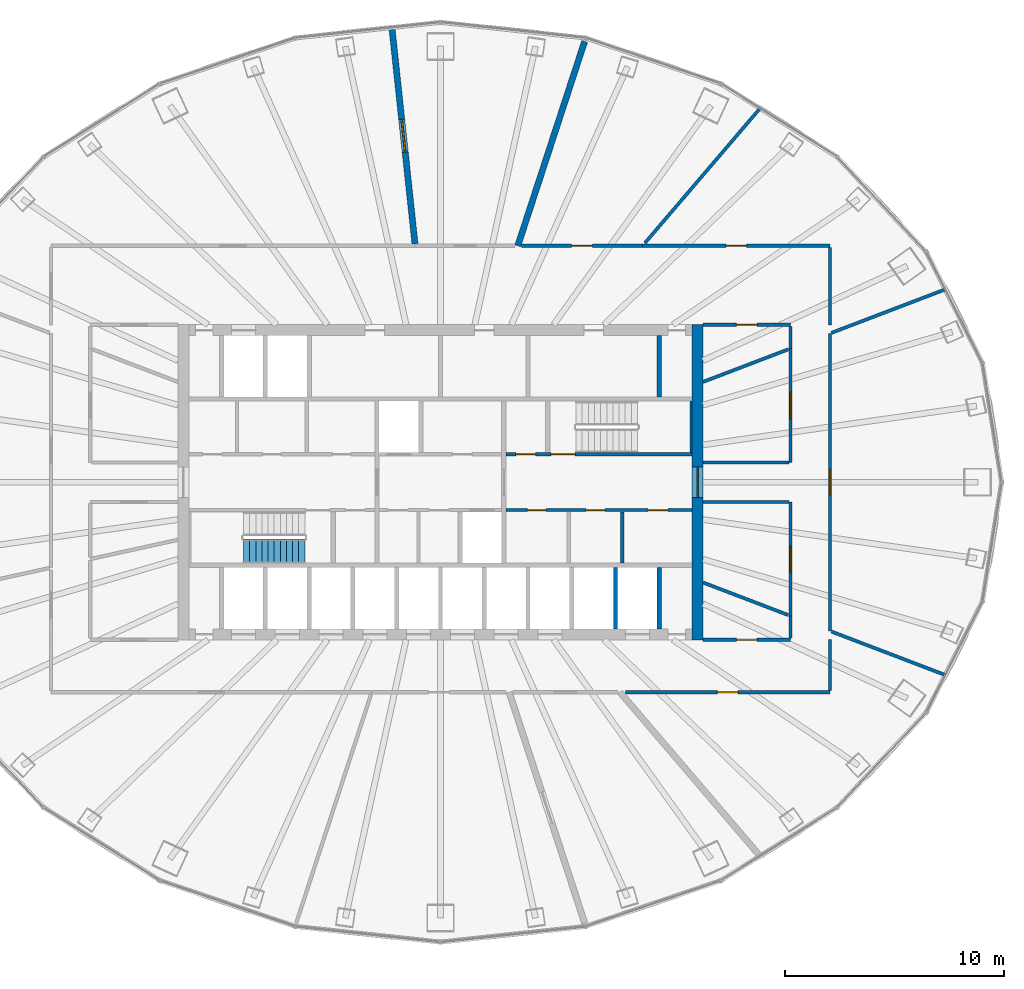
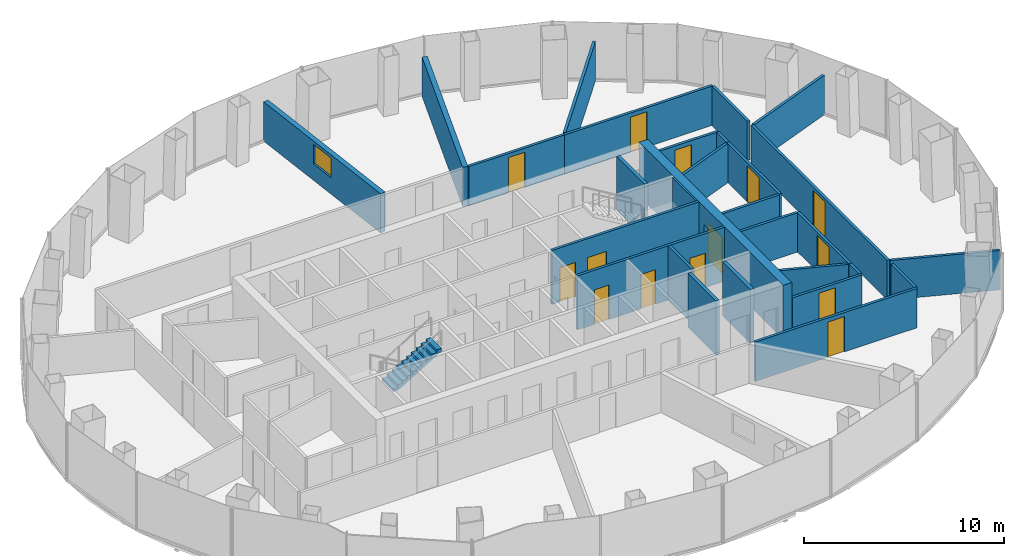
# One storey, part 10 of 12: 29 walls, 14 doors, 1 stair flight, 1 window, 15 openings, 1 element without a shape of its own.
"""IFC4 building model written with IfcOpenShell, lengths in metres."""

from ifc_helpers import new_model, si_unit, direction, frame, frame_2d, origin, place, context, subcontext, project, spatial, polyline, rectangle, outline, extrude, material, layer, layer_set, type_object, element, fill, aggregate, save


model = new_model("IFC4")

# Units and contexts
model_context = context("Model", 3, precision=1e-05, world=origin(), true_north=direction((0.0, 1.0)))
body_context = subcontext(model_context, "Body", "Model", "MODEL_VIEW")
ifc_project = project(units=[si_unit("LENGTHUNIT", "METRE"), si_unit("AREAUNIT", "SQUARE_METRE"), si_unit("VOLUMEUNIT", "CUBIC_METRE"), si_unit("PLANEANGLEUNIT", "RADIAN"), si_unit("MASSUNIT", "GRAM", prefix="KILO")], contexts=[model_context])

# Site, building, storey
site_placement = place(None, origin())
site = spatial("IfcSite", under=ifc_project, at=site_placement, CompositionType="ELEMENT")
building_placement = place(site_placement, origin())
building = spatial("IfcBuilding", under=site, at=building_placement, Name="Siaravel Broadcast Tower", CompositionType="ELEMENT")
storey_placement = place(building_placement, frame((0.0, 0.0, 111.89990234375)))
storey = spatial("IfcBuildingStorey", under=building, at=storey_placement, Name="L26", CompositionType="ELEMENT", Elevation=111.89990234375)

# Wall, opening, window
ifc_material_1 = material(Name="Double-leaf acoustic partition", Category="gypsum")
ifc_layer_1 = layer(ifc_material_1, 0.280029296875)
ifc_layer_set_1 = layer_set([ifc_layer_1], Name="Double-leaf acoustic partition")
wall_type_1 = type_object("IfcWallType", Name="Acoustic double-leaf wall 280", PredefinedType="PARTITIONING", material=ifc_layer_set_1)
wall_1_placement = place(storey_placement, frame((-2.218994140625, 20.774658203125, 0.0), z_axis=(0.0, 0.0, 1.0), x_axis=(0.106213943, -0.9943433, 0.0)))
wall_1 = element("IfcWall", 1, at=wall_1_placement, inside=storey, type_object=wall_type_1, Name="L26 partition 7", PredefinedType="PARTITIONING", context=body_context, shape_type="SweptSolid", body=[
    extrude(rectangle(XDim=9.93896484375, YDim=0.280029296875, at=frame_2d((4.969482421875, 0.0))), origin(), (0.0, 0.0, 1.0), 2.400146484375),
])
opening_1_placement = place(wall_1_placement, frame((4.219482421875, 0.0, 1.0)))
opening_1 = element("IfcOpeningElement", 2, at=opening_1_placement, cuts=wall_1, Name="Opening L26-W01", PredefinedType="OPENING", context=body_context, shape_type="SweptSolid", body=[
    extrude(rectangle(XDim=1.5, YDim=1.199951171875, at=frame_2d((0.75, 0.60009765625))), frame((0.0, 0.14990234375, 0.0), z_axis=(0.0, -1.0, 0.0), x_axis=(1.0, 0.0, 0.0)), (0.0, 0.0, 1.0), 0.300048828125),
])
ifc_material_2 = material(Name="Laminated acoustic glass", Category="glass")
window_type = type_object("IfcWindowType", Name="Studio viewing window 1500", PartitioningType="SINGLE_PANEL", PredefinedType="WINDOW", material=ifc_material_2)
window_placement = place(opening_1_placement, origin())
window = element("IfcWindow", 3, at=window_placement, inside=storey, type_object=window_type, Name="L26 viewing window to Viewing theatre", OverallHeight=1.199951171875, OverallWidth=1.5, PartitioningType="SINGLE_PANEL", PredefinedType="WINDOW", context=body_context, shape_type="SweptSolid", body=[
    extrude(rectangle(XDim=1.5, YDim=1.199951171875, at=frame_2d((0.75, 0.60009765625))), frame((0.0, 0.030029296875, 0.0), z_axis=(0.0, -1.0, 0.0), x_axis=(1.0, 0.0, 0.0)), (0.0, 0.0, 1.0), 0.06005859375),
])
fill(opening_1, window)

# Walls
wall_2_placement = place(storey_placement, frame((6.589599609375, 20.143798828125, 0.0), z_axis=(0.0, 0.0, 1.0), x_axis=(-0.310918337, -0.95043663, 0.0)))
element("IfcWall", 4, at=wall_2_placement, inside=storey, type_object=wall_type_1, Name="L26 partition 9", PredefinedType="PARTITIONING", context=body_context, shape_type="SweptSolid", body=[
    extrude(rectangle(XDim=9.8310546875, YDim=0.280029296875, at=frame_2d((4.91552734375, 0.0))), origin(), (0.0, 0.0, 1.0), 2.400146484375),
])
ifc_material_3 = material(Name="Concrete blockwork", Category="masonry")
ifc_layer_2 = layer(ifc_material_3, 0.14990234375)
ifc_layer_set_2 = layer_set([ifc_layer_2], Name="Concrete blockwork")
wall_type_2 = type_object("IfcWallType", Name="Core partition 150", PredefinedType="PARTITIONING", material=ifc_layer_set_2)
wall_3_placement = place(storey_placement, frame((8.30908203125, -3.699951171875, 0.0), z_axis=(0.0, 0.0, 1.0), x_axis=(0.0, 1.0, 0.0)))
element("IfcWall", 5, at=wall_3_placement, inside=storey, type_object=wall_type_2, Name="L26 core partition PSE1", PredefinedType="PARTITIONING", context=body_context, shape_type="SweptSolid", body=[
    extrude(rectangle(XDim=2.349853515625, YDim=0.14990234375, at=frame_2d((1.1748046875, 0.0))), origin(), (0.0, 0.0, 1.0), 3.300048828125),
])

# Wall, opening, door
ifc_material_4 = material(Name="Concrete C60/75", Category="concrete")
ifc_layer_3 = layer(ifc_material_4, 0.5)
ifc_layer_set_3 = layer_set([ifc_layer_3], Name="Concrete C60/75")
wall_type_3 = type_object("IfcWallType", Name="Core wall 500", PredefinedType="SHEAR", material=ifc_layer_set_3)
wall_4_placement = place(storey_placement, frame((11.75, -7.199951171875, 0.0), z_axis=(0.0, 0.0, 1.0), x_axis=(0.0, 1.0, 0.0)))
wall_4 = element("IfcWall", 6, at=wall_4_placement, inside=storey, type_object=wall_type_3, Name="L26 core wall OE", PredefinedType="SHEAR", context=body_context, shape_type="SweptSolid", body=[
    extrude(rectangle(XDim=14.39990234375, YDim=0.5, at=frame_2d((7.199951171875, 0.0))), origin(), (0.0, 0.0, 1.0), 3.300048828125),
])
opening_2_placement = place(wall_4_placement, frame((6.5, 0.0, 0.0)))
opening_2 = element("IfcOpeningElement", 7, at=opening_2_placement, cuts=wall_4, Name="Opening L26-DX-E", PredefinedType="OPENING", context=body_context, shape_type="SweptSolid", body=[
    extrude(rectangle(XDim=1.39990234375, YDim=2.199951171875, at=frame_2d((0.699951171875, 1.10009765625))), frame((0.0, 0.260009765625, 0.0), z_axis=(0.0, -1.0, 0.0), x_axis=(1.0, 0.0, 0.0)), (0.0, 0.0, 1.0), 0.52001953125),
])
ifc_material_5 = material(Name="Steel", Category="steel")
door_type_1 = type_object("IfcDoorType", Name="Core exit door 1400", OperationType="DOUBLE_DOOR_SINGLE_SWING", PredefinedType="DOOR", material=ifc_material_5)
door_1_placement = place(opening_2_placement, origin())
door_1 = element("IfcDoor", 8, at=door_1_placement, inside=storey, type_object=door_type_1, Name="L26 door DX-E", OperationType="DOUBLE_DOOR_SINGLE_SWING", OverallHeight=2.199951171875, OverallWidth=1.39990234375, PredefinedType="DOOR", context=body_context, shape_type="SweptSolid", body=[
    extrude(rectangle(XDim=1.39990234375, YDim=2.199951171875, at=frame_2d((0.699951171875, 1.10009765625))), frame((0.0, 0.02490234375, 0.0), z_axis=(0.0, -1.0, 0.0), x_axis=(1.0, 0.0, 0.0)), (0.0, 0.0, 1.0), 0.050048828125),
])
fill(opening_2, door_1)

# Wall, openings, doors
ifc_material_6 = material(Name="Gypsum board partition", Category="gypsum")
ifc_layer_4 = layer(ifc_material_6, 0.14990234375)
ifc_layer_set_4 = layer_set([ifc_layer_4], Name="Gypsum board partition")
wall_type_4 = type_object("IfcWallType", Name="Corridor wall 150", PredefinedType="PARTITIONING", material=ifc_layer_set_4)
wall_5_placement = place(storey_placement, frame((3.0, -1.27490234375, 0.0), z_axis=(0.0, 0.0, 1.0), x_axis=(1.0, 0.0, 0.0)))
wall_5 = element("IfcWall", 9, at=wall_5_placement, inside=storey, type_object=wall_type_4, Name="L26 core partition CSE", PredefinedType="PARTITIONING", context=body_context, shape_type="SweptSolid", body=[
    extrude(rectangle(XDim=8.5, YDim=0.14990234375, at=frame_2d((4.25, 0.0))), origin(), (0.0, 0.0, 1.0), 3.300048828125),
])
opening_3_placement = place(wall_5_placement, frame((0.968994140625, 0.0, 0.0)))
opening_3 = element("IfcOpeningElement", 10, at=opening_3_placement, cuts=wall_5, Name="Opening L26-DSE0", PredefinedType="OPENING", context=body_context, shape_type="SweptSolid", body=[
    extrude(rectangle(XDim=0.85009765625, YDim=2.10009765625, at=frame_2d((0.425048828125, 1.050048828125))), frame((0.0, 0.0849609375, 0.0), z_axis=(0.0, -1.0, 0.0), x_axis=(1.0, 0.0, 0.0)), (0.0, 0.0, 1.0), 0.169921875),
])
opening_4_placement = place(wall_5_placement, frame((3.660888671875, 0.0, 0.0)))
opening_4 = element("IfcOpeningElement", 11, at=opening_4_placement, cuts=wall_5, Name="Opening L26-DSE1", PredefinedType="OPENING", context=body_context, shape_type="SweptSolid", body=[
    extrude(rectangle(XDim=0.85009765625, YDim=2.10009765625, at=frame_2d((0.425048828125, 1.050048828125))), frame((0.0, 0.0849609375, 0.0), z_axis=(0.0, -1.0, 0.0), x_axis=(1.0, 0.0, 0.0)), (0.0, 0.0, 1.0), 0.169921875),
])
opening_5_placement = place(wall_5_placement, frame((6.491943359375, 0.0, 0.0)))
opening_5 = element("IfcOpeningElement", 12, at=opening_5_placement, cuts=wall_5, Name="Opening L26-DSE2", PredefinedType="OPENING", context=body_context, shape_type="SweptSolid", body=[
    extrude(rectangle(XDim=0.89990234375, YDim=2.10009765625, at=frame_2d((0.449951171875, 1.050048828125))), frame((0.0, 0.0849609375, 0.0), z_axis=(0.0, -1.0, 0.0), x_axis=(1.0, 0.0, 0.0)), (0.0, 0.0, 1.0), 0.169921875),
])
ifc_material_7 = material(Name="Timber veneer", Category="wood")
door_type_2 = type_object("IfcDoorType", Name="Core room door 900", OperationType="SINGLE_SWING_LEFT", PredefinedType="DOOR", material=ifc_material_7)
door_2_placement = place(opening_5_placement, origin())
door_2 = element("IfcDoor", 13, at=door_2_placement, inside=storey, type_object=door_type_2, Name="L26 door DSE2", OperationType="SINGLE_SWING_LEFT", OverallHeight=2.10009765625, OverallWidth=0.89990234375, PredefinedType="DOOR", context=body_context, shape_type="SweptSolid", body=[
    extrude(rectangle(XDim=0.89990234375, YDim=2.10009765625, at=frame_2d((0.449951171875, 1.050048828125))), frame((0.0, 0.02490234375, 0.0), z_axis=(0.0, -1.0, 0.0), x_axis=(1.0, 0.0, 0.0)), (0.0, 0.0, 1.0), 0.050048828125),
])
fill(opening_5, door_2)
door_type_3 = type_object("IfcDoorType", Name="Core toilet door 850", OperationType="SINGLE_SWING_LEFT", PredefinedType="DOOR", material=ifc_material_7)
door_3_placement = place(opening_3_placement, origin())
door_3 = element("IfcDoor", 14, at=door_3_placement, inside=storey, type_object=door_type_3, Name="L26 door DSE0", OperationType="SINGLE_SWING_LEFT", OverallHeight=2.10009765625, OverallWidth=0.85009765625, PredefinedType="DOOR", context=body_context, shape_type="SweptSolid", body=[
    extrude(rectangle(XDim=0.85009765625, YDim=2.10009765625, at=frame_2d((0.425048828125, 1.050048828125))), frame((0.0, 0.02490234375, 0.0), z_axis=(0.0, -1.0, 0.0), x_axis=(1.0, 0.0, 0.0)), (0.0, 0.0, 1.0), 0.050048828125),
])
fill(opening_3, door_3)
door_4_placement = place(opening_4_placement, origin())
door_4 = element("IfcDoor", 15, at=door_4_placement, inside=storey, type_object=door_type_3, Name="L26 door DSE1", OperationType="SINGLE_SWING_LEFT", OverallHeight=2.10009765625, OverallWidth=0.85009765625, PredefinedType="DOOR", context=body_context, shape_type="SweptSolid", body=[
    extrude(rectangle(XDim=0.85009765625, YDim=2.10009765625, at=frame_2d((0.425048828125, 1.050048828125))), frame((0.0, 0.02490234375, 0.0), z_axis=(0.0, -1.0, 0.0), x_axis=(1.0, 0.0, 0.0)), (0.0, 0.0, 1.0), 0.050048828125),
])
fill(opening_4, door_4)

# Wall, opening, door
wall_6_placement = place(storey_placement, frame((17.800048828125, -6.798828125, 0.0), z_axis=(0.0, 0.0, 1.0), x_axis=(0.0, 1.0, 0.0)))
wall_6 = element("IfcWall", 16, at=wall_6_placement, inside=storey, type_object=wall_type_4, Name="L26 partition 3", PredefinedType="PARTITIONING", context=body_context, shape_type="SweptSolid", body=[
    extrude(rectangle(XDim=13.59765625, YDim=0.14990234375, at=frame_2d((6.798828125, 0.0))), origin(), (0.0, 0.0, 1.0), 2.400146484375),
])
opening_6_placement = place(wall_6_placement, frame((6.19873046875, 0.0, 0.0)))
opening_6 = element("IfcOpeningElement", 17, at=opening_6_placement, cuts=wall_6, Name="Opening L26-005", PredefinedType="OPENING", context=body_context, shape_type="SweptSolid", body=[
    extrude(rectangle(XDim=1.199951171875, YDim=2.199951171875, at=frame_2d((0.60009765625, 1.10009765625))), frame((0.0, 0.0849609375, 0.0), z_axis=(0.0, -1.0, 0.0), x_axis=(1.0, 0.0, 0.0)), (0.0, 0.0, 1.0), 0.169921875),
])
door_type_4 = type_object("IfcDoorType", Name="Office double door 1200", OperationType="DOUBLE_DOOR_SINGLE_SWING", PredefinedType="DOOR", material=ifc_material_7)
door_5_placement = place(opening_6_placement, origin())
door_5 = element("IfcDoor", 18, at=door_5_placement, inside=storey, type_object=door_type_4, Name="L26 door to Open plan production office", OperationType="DOUBLE_DOOR_SINGLE_SWING", OverallHeight=2.199951171875, OverallWidth=1.199951171875, PredefinedType="DOOR", context=body_context, shape_type="SweptSolid", body=[
    extrude(rectangle(XDim=1.199951171875, YDim=2.199951171875, at=frame_2d((0.60009765625, 1.10009765625))), frame((0.0, 0.02490234375, 0.0), z_axis=(0.0, -1.0, 0.0), x_axis=(1.0, 0.0, 0.0)), (0.0, 0.0, 1.0), 0.050048828125),
])
fill(opening_6, door_5)

wall_7_placement = place(storey_placement, frame((8.456787109375, -9.60009765625, 0.0), z_axis=(0.0, 0.0, 1.0), x_axis=(1.0, 0.0, 0.0)))
wall_7 = element("IfcWall", 19, at=wall_7_placement, inside=storey, type_object=wall_type_4, Name="L26 partition 10", PredefinedType="PARTITIONING", context=body_context, shape_type="SweptSolid", body=[
    extrude(rectangle(XDim=9.34326171875, YDim=0.14990234375, at=frame_2d((4.671630859375, 0.0))), origin(), (0.0, 0.0, 1.0), 2.400146484375),
])
opening_7_placement = place(wall_7_placement, frame((4.196533203125, 0.0, 0.0)))
opening_7 = element("IfcOpeningElement", 20, at=opening_7_placement, cuts=wall_7, Name="Opening L26-002", PredefinedType="OPENING", context=body_context, shape_type="SweptSolid", body=[
    extrude(rectangle(XDim=0.949951171875, YDim=2.14990234375, at=frame_2d((0.47509765625, 1.074951171875))), frame((0.0, 0.0849609375, 0.0), z_axis=(0.0, -1.0, 0.0), x_axis=(1.0, 0.0, 0.0)), (0.0, 0.0, 1.0), 0.169921875),
])
door_type_5 = type_object("IfcDoorType", Name="Office door 950", OperationType="SINGLE_SWING_LEFT", PredefinedType="DOOR", material=ifc_material_7)
door_6_placement = place(opening_7_placement, origin())
door_6 = element("IfcDoor", 21, at=door_6_placement, inside=storey, type_object=door_type_5, Name="L26 door to Design studio", OperationType="SINGLE_SWING_RIGHT", OverallHeight=2.14990234375, OverallWidth=0.949951171875, PredefinedType="DOOR", context=body_context, shape_type="SweptSolid", body=[
    extrude(rectangle(XDim=0.949951171875, YDim=2.14990234375, at=frame_2d((0.47509765625, 1.074951171875))), frame((0.0, 0.02490234375, 0.0), z_axis=(0.0, -1.0, 0.0), x_axis=(1.0, 0.0, 0.0)), (0.0, 0.0, 1.0), 0.050048828125),
])
fill(opening_7, door_6)

wall_8_placement = place(storey_placement, frame((17.800048828125, 10.800048828125, 0.0), z_axis=(0.0, 0.0, 1.0), x_axis=(-1.0, 0.0, 0.0)))
wall_8 = element("IfcWall", 22, at=wall_8_placement, inside=storey, type_object=wall_type_4, Name="L26 partition 11", PredefinedType="PARTITIONING", context=body_context, shape_type="SweptSolid", body=[
    extrude(rectangle(XDim=8.56787109375, YDim=0.14990234375, at=frame_2d((4.283935546875, 0.0))), origin(), (0.0, 0.0, 1.0), 2.400146484375),
])
opening_8_placement = place(wall_8_placement, frame((3.808837890625, 0.0, 0.0)))
opening_8 = element("IfcOpeningElement", 23, at=opening_8_placement, cuts=wall_8, Name="Opening L26-007", PredefinedType="OPENING", context=body_context, shape_type="SweptSolid", body=[
    extrude(rectangle(XDim=0.949951171875, YDim=2.14990234375, at=frame_2d((0.47509765625, 1.074951171875))), frame((0.0, 0.0849609375, 0.0), z_axis=(0.0, -1.0, 0.0), x_axis=(1.0, 0.0, 0.0)), (0.0, 0.0, 1.0), 0.169921875),
])
door_7_placement = place(opening_8_placement, origin())
door_7 = element("IfcDoor", 24, at=door_7_placement, inside=storey, type_object=door_type_5, Name="L26 door to Design studio", OperationType="SINGLE_SWING_LEFT", OverallHeight=2.14990234375, OverallWidth=0.949951171875, PredefinedType="DOOR", context=body_context, shape_type="SweptSolid", body=[
    extrude(rectangle(XDim=0.949951171875, YDim=2.14990234375, at=frame_2d((0.47509765625, 1.074951171875))), frame((0.0, 0.02490234375, 0.0), z_axis=(0.0, -1.0, 0.0), x_axis=(1.0, 0.0, 0.0)), (0.0, 0.0, 1.0), 0.050048828125),
])
fill(opening_8, door_7)

wall_9_placement = place(storey_placement, frame((9.231201171875, 10.800048828125, 0.0), z_axis=(0.0, 0.0, 1.0), x_axis=(-1.0, 0.0, 0.0)))
wall_9 = element("IfcWall", 25, at=wall_9_placement, inside=storey, type_object=wall_type_4, Name="L26 partition 15", PredefinedType="PARTITIONING", context=body_context, shape_type="SweptSolid", body=[
    extrude(rectangle(XDim=5.5244140625, YDim=0.14990234375, at=frame_2d((2.76220703125, 0.0))), origin(), (0.0, 0.0, 1.0), 2.400146484375),
])
opening_9_placement = place(wall_9_placement, frame((2.287109375, 0.0, 0.0)))
opening_9 = element("IfcOpeningElement", 26, at=opening_9_placement, cuts=wall_9, Name="Opening L26-008", PredefinedType="OPENING", context=body_context, shape_type="SweptSolid", body=[
    extrude(rectangle(XDim=0.949951171875, YDim=2.14990234375, at=frame_2d((0.47509765625, 1.074951171875))), frame((0.0, 0.0849609375, 0.0), z_axis=(0.0, -1.0, 0.0), x_axis=(1.0, 0.0, 0.0)), (0.0, 0.0, 1.0), 0.169921875),
])
door_8_placement = place(opening_9_placement, origin())
door_8 = element("IfcDoor", 27, at=door_8_placement, inside=storey, type_object=door_type_5, Name="L26 door to Production office", OperationType="SINGLE_SWING_RIGHT", OverallHeight=2.14990234375, OverallWidth=0.949951171875, PredefinedType="DOOR", context=body_context, shape_type="SweptSolid", body=[
    extrude(rectangle(XDim=0.949951171875, YDim=2.14990234375, at=frame_2d((0.47509765625, 1.074951171875))), frame((0.0, 0.02490234375, 0.0), z_axis=(0.0, -1.0, 0.0), x_axis=(1.0, 0.0, 0.0)), (0.0, 0.0, 1.0), 0.050048828125),
])
fill(opening_9, door_8)

wall_10_placement = place(storey_placement, frame((16.0, -0.89990234375, 0.0), z_axis=(0.0, 0.0, 1.0), x_axis=(0.0, -1.0, 0.0)))
wall_10 = element("IfcWall", 28, at=wall_10_placement, inside=storey, type_object=wall_type_4, Name="L26 partition 20", PredefinedType="PARTITIONING", context=body_context, shape_type="SweptSolid", body=[
    extrude(rectangle(XDim=5.21142578125, YDim=0.14990234375, at=frame_2d((2.605712890625, 0.0))), origin(), (0.0, 0.0, 1.0), 2.400146484375),
])
opening_10_placement = place(wall_10_placement, frame((2.005615234375, 0.0, 0.0)))
opening_10 = element("IfcOpeningElement", 29, at=opening_10_placement, cuts=wall_10, Name="Opening L26-003", PredefinedType="OPENING", context=body_context, shape_type="SweptSolid", body=[
    extrude(rectangle(XDim=1.199951171875, YDim=2.199951171875, at=frame_2d((0.60009765625, 1.10009765625))), frame((0.0, 0.0849609375, 0.0), z_axis=(0.0, -1.0, 0.0), x_axis=(1.0, 0.0, 0.0)), (0.0, 0.0, 1.0), 0.169921875),
])
door_9_placement = place(opening_10_placement, origin())
door_9 = element("IfcDoor", 30, at=door_9_placement, inside=storey, type_object=door_type_4, Name="L26 door to Open plan production office", OperationType="DOUBLE_DOOR_SINGLE_SWING", OverallHeight=2.199951171875, OverallWidth=1.199951171875, PredefinedType="DOOR", context=body_context, shape_type="SweptSolid", body=[
    extrude(rectangle(XDim=1.199951171875, YDim=2.199951171875, at=frame_2d((0.60009765625, 1.10009765625))), frame((0.0, 0.02490234375, 0.0), z_axis=(0.0, -1.0, 0.0), x_axis=(1.0, 0.0, 0.0)), (0.0, 0.0, 1.0), 0.050048828125),
])
fill(opening_10, door_9)

wall_11_placement = place(storey_placement, frame((16.0, 6.111328125, 0.0), z_axis=(0.0, 0.0, 1.0), x_axis=(0.0, -1.0, 0.0)))
wall_11 = element("IfcWall", 31, at=wall_11_placement, inside=storey, type_object=wall_type_4, Name="L26 partition 21", PredefinedType="PARTITIONING", context=body_context, shape_type="SweptSolid", body=[
    extrude(rectangle(XDim=5.21142578125, YDim=0.14990234375, at=frame_2d((2.605712890625, 0.0))), origin(), (0.0, 0.0, 1.0), 2.400146484375),
])
opening_11_placement = place(wall_11_placement, frame((2.005615234375, 0.0, 0.0)))
opening_11 = element("IfcOpeningElement", 32, at=opening_11_placement, cuts=wall_11, Name="Opening L26-004", PredefinedType="OPENING", context=body_context, shape_type="SweptSolid", body=[
    extrude(rectangle(XDim=1.199951171875, YDim=2.199951171875, at=frame_2d((0.60009765625, 1.10009765625))), frame((0.0, 0.0849609375, 0.0), z_axis=(0.0, -1.0, 0.0), x_axis=(1.0, 0.0, 0.0)), (0.0, 0.0, 1.0), 0.169921875),
])
door_10_placement = place(opening_11_placement, origin())
door_10 = element("IfcDoor", 33, at=door_10_placement, inside=storey, type_object=door_type_4, Name="L26 door to Open plan production office", OperationType="DOUBLE_DOOR_SINGLE_SWING", OverallHeight=2.199951171875, OverallWidth=1.199951171875, PredefinedType="DOOR", context=body_context, shape_type="SweptSolid", body=[
    extrude(rectangle(XDim=1.199951171875, YDim=2.199951171875, at=frame_2d((0.60009765625, 1.10009765625))), frame((0.0, 0.02490234375, 0.0), z_axis=(0.0, -1.0, 0.0), x_axis=(1.0, 0.0, 0.0)), (0.0, 0.0, 1.0), 0.050048828125),
])
fill(opening_11, door_10)

# Wall
wall_12_placement = place(storey_placement, frame((12.0, -0.89990234375, 0.0), z_axis=(0.0, 0.0, 1.0), x_axis=(1.0, 0.0, 0.0)))
element("IfcWall", 34, at=wall_12_placement, inside=storey, type_object=wall_type_4, Name="L26 partition 32", PredefinedType="PARTITIONING", context=body_context, shape_type="SweptSolid", body=[
    extrude(rectangle(XDim=3.923095703125, YDim=0.14990234375, at=frame_2d((1.96142578125, 0.0))), origin(), (0.0, 0.0, 1.0), 2.400146484375),
])

# Wall, opening, door
wall_13_placement = place(storey_placement, frame((12.0, 7.199951171875, 0.0), z_axis=(0.0, 0.0, 1.0), x_axis=(1.0, 0.0, 0.0)))
wall_13 = element("IfcWall", 35, at=wall_13_placement, inside=storey, type_object=wall_type_4, Name="L26 partition 33", PredefinedType="PARTITIONING", context=body_context, shape_type="SweptSolid", body=[
    extrude(rectangle(XDim=4.0, YDim=0.14990234375, at=frame_2d((2.0, 0.0))), origin(), (0.0, 0.0, 1.0), 2.400146484375),
])
opening_12_placement = place(wall_13_placement, frame((1.52490234375, 0.0, 0.0)))
opening_12 = element("IfcOpeningElement", 36, at=opening_12_placement, cuts=wall_13, Name="Opening L26-006", PredefinedType="OPENING", context=body_context, shape_type="SweptSolid", body=[
    extrude(rectangle(XDim=0.949951171875, YDim=2.14990234375, at=frame_2d((0.47509765625, 1.074951171875))), frame((0.0, 0.0849609375, 0.0), z_axis=(0.0, -1.0, 0.0), x_axis=(1.0, 0.0, 0.0)), (0.0, 0.0, 1.0), 0.169921875),
])
door_11_placement = place(opening_12_placement, origin())
door_11 = element("IfcDoor", 37, at=door_11_placement, inside=storey, type_object=door_type_5, Name="L26 door to Design studio", OperationType="SINGLE_SWING_RIGHT", OverallHeight=2.14990234375, OverallWidth=0.949951171875, PredefinedType="DOOR", context=body_context, shape_type="SweptSolid", body=[
    extrude(rectangle(XDim=0.949951171875, YDim=2.14990234375, at=frame_2d((0.47509765625, 1.074951171875))), frame((0.0, 0.02490234375, 0.0), z_axis=(0.0, -1.0, 0.0), x_axis=(1.0, 0.0, 0.0)), (0.0, 0.0, 1.0), 0.050048828125),
])
fill(opening_12, door_11)

wall_14_placement = place(storey_placement, frame((16.0, -7.199951171875, 0.0), z_axis=(0.0, 0.0, 1.0), x_axis=(-1.0, 0.0, 0.0)))
wall_14 = element("IfcWall", 38, at=wall_14_placement, inside=storey, type_object=wall_type_4, Name="L26 partition 34", PredefinedType="PARTITIONING", context=body_context, shape_type="SweptSolid", body=[
    extrude(rectangle(XDim=4.0, YDim=0.14990234375, at=frame_2d((2.0, 0.0))), origin(), (0.0, 0.0, 1.0), 2.400146484375),
])
opening_13_placement = place(wall_14_placement, frame((1.52490234375, 0.0, 0.0)))
opening_13 = element("IfcOpeningElement", 39, at=opening_13_placement, cuts=wall_14, Name="Opening L26-001", PredefinedType="OPENING", context=body_context, shape_type="SweptSolid", body=[
    extrude(rectangle(XDim=0.949951171875, YDim=2.14990234375, at=frame_2d((0.47509765625, 1.074951171875))), frame((0.0, 0.0849609375, 0.0), z_axis=(0.0, -1.0, 0.0), x_axis=(1.0, 0.0, 0.0)), (0.0, 0.0, 1.0), 0.169921875),
])
door_12_placement = place(opening_13_placement, origin())
door_12 = element("IfcDoor", 40, at=door_12_placement, inside=storey, type_object=door_type_5, Name="L26 door to Design studio", OperationType="SINGLE_SWING_LEFT", OverallHeight=2.14990234375, OverallWidth=0.949951171875, PredefinedType="DOOR", context=body_context, shape_type="SweptSolid", body=[
    extrude(rectangle(XDim=0.949951171875, YDim=2.14990234375, at=frame_2d((0.47509765625, 1.074951171875))), frame((0.0, 0.02490234375, 0.0), z_axis=(0.0, -1.0, 0.0), x_axis=(1.0, 0.0, 0.0)), (0.0, 0.0, 1.0), 0.050048828125),
])
fill(opening_13, door_12)

# Walls
wall_15_placement = place(storey_placement, frame((15.923095703125, 0.89990234375, 0.0), z_axis=(0.0, 0.0, 1.0), x_axis=(-1.0, 0.0, 0.0)))
element("IfcWall", 41, at=wall_15_placement, inside=storey, type_object=wall_type_4, Name="L26 partition 35", PredefinedType="PARTITIONING", context=body_context, shape_type="SweptSolid", body=[
    extrude(rectangle(XDim=3.923095703125, YDim=0.14990234375, at=frame_2d((1.96142578125, 0.0))), origin(), (0.0, 0.0, 1.0), 2.400146484375),
])
wall_16_placement = place(storey_placement, frame((17.800048828125, 7.18798828125, 0.0), z_axis=(0.0, 0.0, 1.0), x_axis=(0.0, 1.0, 0.0)))
element("IfcWall", 42, at=wall_16_placement, inside=storey, type_object=wall_type_4, Name="L26 partition 38", PredefinedType="PARTITIONING", context=body_context, shape_type="SweptSolid", body=[
    extrude(rectangle(XDim=3.534912109375, YDim=0.14990234375, at=frame_2d((1.767578125, 0.0))), origin(), (0.0, 0.0, 1.0), 2.400146484375),
])
wall_17_placement = place(storey_placement, frame((17.800048828125, -9.52294921875, 0.0), z_axis=(0.0, 0.0, 1.0), x_axis=(0.0, 1.0, 0.0)))
element("IfcWall", 43, at=wall_17_placement, inside=storey, type_object=wall_type_4, Name="L26 partition 42", PredefinedType="PARTITIONING", context=body_context, shape_type="SweptSolid", body=[
    extrude(rectangle(XDim=2.3349609375, YDim=0.14990234375, at=frame_2d((1.16748046875, 0.0))), origin(), (0.0, 0.0, 1.0), 2.400146484375),
])
for number, where, z_axis, x_axis, name in (
    (44, (16.0, -6.1123046875, 0.0), (0.0, 0.0, 1.0), (0.0, -1.0, 0.0), "L26 partition 44"),
    (45, (16.0, 7.123046875, 0.0), (0.0, 0.0, 1.0), (0.0, -1.0, 0.0), "L26 partition 45"),
):
    element("IfcWall", number, at=place(storey_placement, frame(where, z_axis=z_axis, x_axis=x_axis)), inside=storey, type_object=wall_type_4, Name=name, PredefinedType="PARTITIONING", context=body_context, shape_type="SweptSolid", body=[
        extrude(rectangle(XDim=1.0107421875, YDim=0.14990234375, at=frame_2d((0.50537109375, 0.0))), origin(), (0.0, 0.0, 1.0), 2.400146484375),
    ])
ifc_layer_5 = layer(ifc_material_6, 0.14990234375)
ifc_layer_set_5 = layer_set([ifc_layer_5], Name="Gypsum board partition")
wall_type_5 = type_object("IfcWallType", Name="Room partition 150", PredefinedType="PARTITIONING", material=ifc_layer_set_5)
wall_18_placement = place(storey_placement, frame((14.606689453125, 17.087158203125, 0.0), z_axis=(0.0, 0.0, 1.0), x_axis=(-0.649776378, -0.760125423, 0.0)))
element("IfcWall", 46, at=wall_18_placement, inside=storey, type_object=wall_type_5, Name="L26 partition 12", PredefinedType="PARTITIONING", context=body_context, shape_type="SweptSolid", body=[
    extrude(rectangle(XDim=8.1064453125, YDim=0.14990234375, at=frame_2d((4.05322265625, 0.0))), origin(), (0.0, 0.0, 1.0), 2.400146484375),
])
wall_19_placement = place(storey_placement, frame((23.09375, -8.82080078125, 0.0), z_axis=(0.0, 0.0, 1.0), x_axis=(-0.934174226, 0.356817201, 0.0)))
element("IfcWall", 47, at=wall_19_placement, inside=storey, type_object=wall_type_5, Name="L26 partition 17", PredefinedType="PARTITIONING", context=body_context, shape_type="SweptSolid", body=[
    extrude(rectangle(XDim=5.5947265625, YDim=0.14990234375, at=frame_2d((2.79736328125, 0.0))), origin(), (0.0, 0.0, 1.0), 2.400146484375),
])
wall_20_placement = place(storey_placement, frame((23.092041015625, 8.8203125, 0.0), z_axis=(0.0, 0.0, 1.0), x_axis=(-0.934164423, -0.356842865, 0.0)))
element("IfcWall", 48, at=wall_20_placement, inside=storey, type_object=wall_type_5, Name="L26 partition 18", PredefinedType="PARTITIONING", context=body_context, shape_type="SweptSolid", body=[
    extrude(rectangle(XDim=5.593017578125, YDim=0.14990234375, at=frame_2d((2.79638671875, 0.0))), origin(), (0.0, 0.0, 1.0), 2.400146484375),
])
for number, where, z_axis, x_axis, name in (
    (49, (15.896484375, -6.07177734375, 0.0), (0.0, 0.0, 1.0), (-0.934175823, 0.356813021, 0.0), "L26 partition 25"),
    (50, (15.896484375, 6.07177734375, 0.0), (0.0, 0.0, 1.0), (-0.934175823, -0.356813021, 0.0), "L26 partition 26"),
):
    element("IfcWall", number, at=place(storey_placement, frame(where, z_axis=z_axis, x_axis=x_axis)), inside=storey, type_object=wall_type_5, Name=name, PredefinedType="PARTITIONING", context=body_context, shape_type="SweptSolid", body=[
        extrude(rectangle(XDim=4.171142578125, YDim=0.14990234375, at=frame_2d((2.08544921875, 0.0))), origin(), (0.0, 0.0, 1.0), 2.400146484375),
    ])
ifc_layer_6 = layer(ifc_material_4, 0.10009765625)
ifc_layer_set_6 = layer_set([ifc_layer_6], Name="Concrete C60/75")
wall_type_6 = type_object("IfcWallType", Name="Shaft wall 100", PredefinedType="SHEAR", material=ifc_layer_set_6)
wall_21_placement = place(storey_placement, frame((11.449951171875, 1.35009765625, 0.0), z_axis=(0.0, 0.0, 1.0), x_axis=(0.0, 1.0, 0.0)))
element("IfcWall", 51, at=wall_21_placement, inside=storey, type_object=wall_type_6, Name="L26 core wall ST2E", PredefinedType="SHEAR", context=body_context, shape_type="SweptSolid", body=[
    extrude(rectangle(XDim=2.349853515625, YDim=0.10009765625, at=frame_2d((1.1748046875, 0.0))), origin(), (0.0, 0.0, 1.0), 3.300048828125),
])

# Wall, openings, doors
ifc_layer_7 = layer(ifc_material_4, 0.14990234375)
ifc_layer_set_7 = layer_set([ifc_layer_7], Name="Concrete C60/75")
wall_type_7 = type_object("IfcWallType", Name="Shaft wall 150", PredefinedType="SHEAR", material=ifc_layer_set_7)
wall_22_placement = place(storey_placement, frame((3.0, 1.27490234375, 0.0), z_axis=(0.0, 0.0, 1.0), x_axis=(1.0, 0.0, 0.0)))
wall_22 = element("IfcWall", 52, at=wall_22_placement, inside=storey, type_object=wall_type_7, Name="L26 core wall CNE", PredefinedType="SHEAR", context=body_context, shape_type="SweptSolid", body=[
    extrude(rectangle(XDim=8.5, YDim=0.14990234375, at=frame_2d((4.25, 0.0))), origin(), (0.0, 0.0, 1.0), 3.300048828125),
])
opening_14_placement = place(wall_22_placement, frame((2.050048828125, 0.0, 0.0)))
opening_14 = element("IfcOpeningElement", 53, at=opening_14_placement, cuts=wall_22, Name="Opening L26-DS-2", PredefinedType="OPENING", context=body_context, shape_type="SweptSolid", body=[
    extrude(rectangle(XDim=1.10009765625, YDim=2.14990234375, at=frame_2d((0.550048828125, 1.074951171875))), frame((0.0, 0.0849609375, 0.0), z_axis=(0.0, -1.0, 0.0), x_axis=(1.0, 0.0, 0.0)), (0.0, 0.0, 1.0), 0.169921875),
])
opening_15_placement = place(wall_22_placement, frame((0.449951171875, 0.0, 0.0)))
opening_15 = element("IfcOpeningElement", 54, at=opening_15_placement, cuts=wall_22, Name="Opening L26-DNE0", PredefinedType="OPENING", context=body_context, shape_type="SweptSolid", body=[
    extrude(rectangle(XDim=0.89990234375, YDim=2.10009765625, at=frame_2d((0.449951171875, 1.050048828125))), frame((0.0, 0.0849609375, 0.0), z_axis=(0.0, -1.0, 0.0), x_axis=(1.0, 0.0, 0.0)), (0.0, 0.0, 1.0), 0.169921875),
])
door_13_placement = place(opening_15_placement, origin())
door_13 = element("IfcDoor", 55, at=door_13_placement, inside=storey, type_object=door_type_2, Name="L26 door DNE0", OperationType="SINGLE_SWING_LEFT", OverallHeight=2.10009765625, OverallWidth=0.89990234375, PredefinedType="DOOR", context=body_context, shape_type="SweptSolid", body=[
    extrude(rectangle(XDim=0.89990234375, YDim=2.10009765625, at=frame_2d((0.449951171875, 1.050048828125))), frame((0.0, 0.02490234375, 0.0), z_axis=(0.0, -1.0, 0.0), x_axis=(1.0, 0.0, 0.0)), (0.0, 0.0, 1.0), 0.050048828125),
])
fill(opening_15, door_13)
door_type_6 = type_object("IfcDoorType", Name="Stair door 1100", OperationType="SINGLE_SWING_LEFT", PredefinedType="DOOR", material=ifc_material_5)
door_14_placement = place(opening_14_placement, origin())
door_14 = element("IfcDoor", 56, at=door_14_placement, inside=storey, type_object=door_type_6, Name="L26 door DS-2", OperationType="SINGLE_SWING_LEFT", OverallHeight=2.14990234375, OverallWidth=1.10009765625, PredefinedType="DOOR", context=body_context, shape_type="SweptSolid", body=[
    extrude(rectangle(XDim=1.10009765625, YDim=2.14990234375, at=frame_2d((0.550048828125, 1.074951171875))), frame((0.0, 0.02490234375, 0.0), z_axis=(0.0, -1.0, 0.0), x_axis=(1.0, 0.0, 0.0)), (0.0, 0.0, 1.0), 0.050048828125),
])
fill(opening_14, door_14)

# Walls
ifc_layer_8 = layer(ifc_material_4, 0.199951171875)
ifc_layer_set_8 = layer_set([ifc_layer_8], Name="Concrete C60/75")
wall_type_8 = type_object("IfcWallType", Name="Shaft wall 200", PredefinedType="SHEAR", material=ifc_layer_set_8)
for number, where, z_axis, x_axis, name in (
    (57, (8.0, -6.699951171875, 0.0), (0.0, 0.0, 1.0), (0.0, 1.0, 0.0), "L26 core wall SWS9"),
    (58, (10.0, -6.699951171875, 0.0), (0.0, 0.0, 1.0), (0.0, 1.0, 0.0), "L26 core wall SWS10"),
    (59, (10.0, 3.89990234375, 0.0), (0.0, 0.0, 1.0), (0.0, 1.0, 0.0), "L26 core wall SWN10"),
):
    element("IfcWall", number, at=place(storey_placement, frame(where, z_axis=z_axis, x_axis=x_axis)), inside=storey, type_object=wall_type_8, Name=name, PredefinedType="SHEAR", context=body_context, shape_type="SweptSolid", body=[
        extrude(rectangle(XDim=2.800048828125, YDim=0.199951171875, at=frame_2d((1.39990234375, 0.0))), origin(), (0.0, 0.0, 1.0), 3.300048828125),
    ])

# Stair, stair flight
ifc_material_8 = material(Name="Concrete C40/50", Category="concrete")
stair_type = type_object("IfcStairType", Name="Core exit stair", PredefinedType="HALF_TURN_STAIR", material=ifc_material_8)
stair_placement = place(storey_placement, origin())
stair = element("IfcStair", 60, at=stair_placement, inside=storey, type_object=stair_type, Name="L26 Exit stair ST-1", PredefinedType="HALF_TURN_STAIR")
stair_flight_type = type_object("IfcStairFlightType", Name="Stair flight 1100", PredefinedType="STRAIGHT", material=ifc_material_8)
stair_flight_placement = place(storey_placement, frame((-9.0, -3.14990234375, 1.85009765625), z_axis=(0.0, 0.0, 1.0), x_axis=(1.0, 0.0, 0.0)))
stair_flight = element("IfcStairFlight", 61, at=stair_flight_placement, type_object=stair_flight_type, Name="ST-1 flight 2", NumberOfRisers=11, NumberOfTreads=10, PredefinedType="STRAIGHT", RiserHeight=0.1681818, TreadLength=0.28, context=body_context, shape_type="SweptSolid", body=[
    extrude(outline(polyline([(0.0, 0.0), (0.0, 0.168212890625), (0.280029296875, 0.168212890625), (0.280029296875, 0.33642578125), (0.56005859375, 0.33642578125), (0.56005859375, 0.504638671875), (0.840087890625, 0.504638671875), (0.840087890625, 0.672607421875), (1.1201171875, 0.672607421875), (1.1201171875, 0.8408203125), (1.39990234375, 0.8408203125), (1.39990234375, 1.009033203125), (1.679931640625, 1.009033203125), (1.679931640625, 1.17724609375), (1.9599609375, 1.17724609375), (1.9599609375, 1.345458984375), (2.239990234375, 1.345458984375), (2.239990234375, 1.513671875), (2.52001953125, 1.513671875), (2.52001953125, 1.681884765625), (2.800048828125, 1.681884765625), (2.800048828125, 1.85009765625), (2.800048828125, 1.5068359375), (0.291015625, 0.0), (0.0, 0.0)])), frame((0.0, 0.550048828125, 0.0), z_axis=(0.0, -1.0, 0.0), x_axis=(1.0, 0.0, 0.0)), (0.0, 0.0, 1.0), 1.10009765625),
])
aggregate(stair, [stair_flight])

save(model, "model.ifc")
